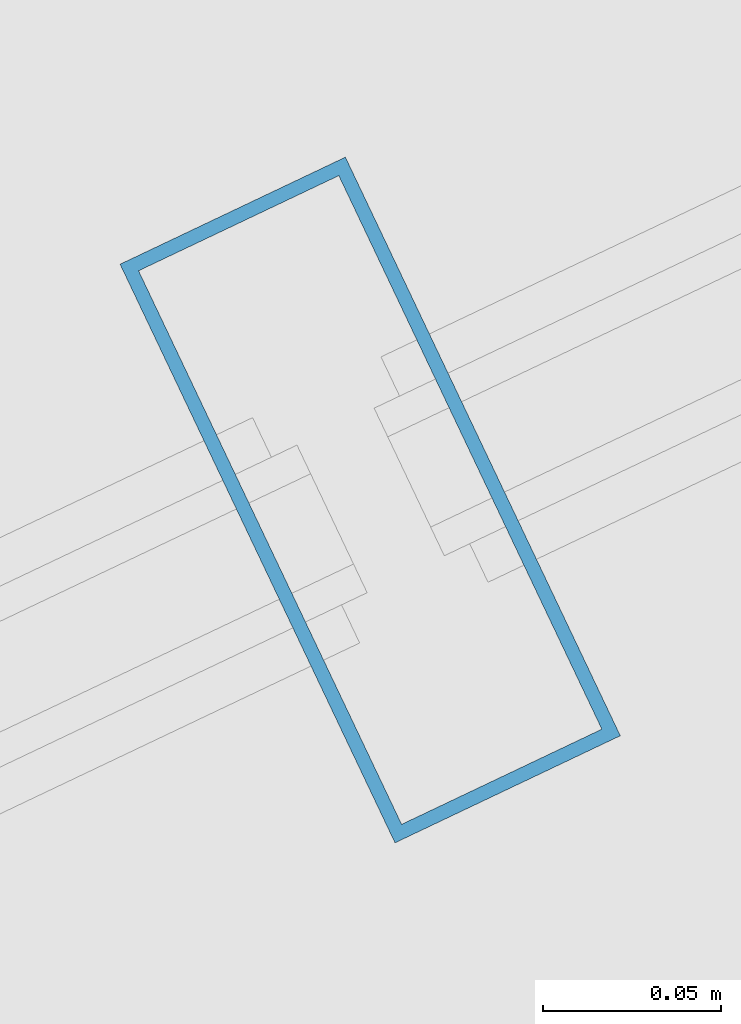
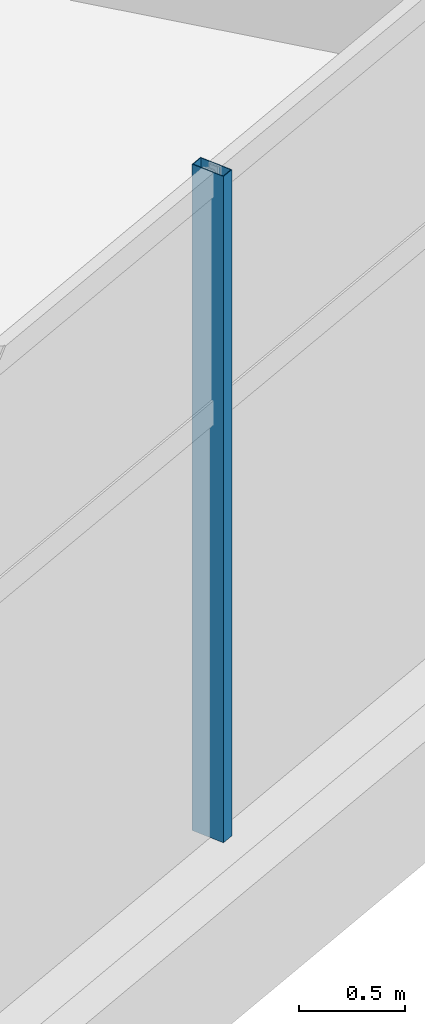
# One storey, part 45 of 156: 1 member, 1 element without a shape of its own.
"""IFC4 building model written with IfcOpenShell, lengths in metres."""

from ifc_helpers import new_model, si_unit, direction, frame, origin, origin_2d, place, context, subcontext, project, spatial, hollow_rectangle, extrude, material, layer, layer_set, material_profile, profile_set, type_object, element, aggregate, save


model = new_model("IFC4")

# Units and contexts
model_context = context("Model", 3, precision=1e-05, world=origin(), true_north=direction((0.0, 1.0)))
body_context = subcontext(model_context, "Body", "Model", "MODEL_VIEW")
ifc_project = project(units=[si_unit("LENGTHUNIT", "METRE"), si_unit("AREAUNIT", "SQUARE_METRE"), si_unit("VOLUMEUNIT", "CUBIC_METRE"), si_unit("PLANEANGLEUNIT", "RADIAN"), si_unit("MASSUNIT", "GRAM", prefix="KILO")], contexts=[model_context])

# Site, building, storey
site_placement = place(None, origin())
site = spatial("IfcSite", under=ifc_project, at=site_placement, CompositionType="ELEMENT")
building_placement = place(site_placement, origin())
building = spatial("IfcBuilding", under=site, at=building_placement, Name="Kazemori Nagisa Stadium", CompositionType="ELEMENT")
storey_placement = place(building_placement, frame((0.0, 0.0, 5.780029296875)))
storey = spatial("IfcBuildingStorey", under=building, at=storey_placement, Name="L01", CompositionType="ELEMENT", Elevation=5.780029296875)

# Curtain wall, member
ifc_material_1 = material(Name="Anodised aluminium 6063-T5", Category="aluminium")
ifc_layer = layer(ifc_material_1, 0.179931640625, Name="Anodised aluminium 6063-T5", Category="aluminium")
ifc_layer_set = layer_set([ifc_layer], Name="Anodised aluminium 6063-T5")
curtain_wall_type = type_object("IfcCurtainWallType", Name="CW_L01R3_105", PredefinedType="USERDEFINED", material=ifc_layer_set)
curtain_wall_placement = place(storey_placement, origin())
curtain_wall = element("IfcCurtainWall", 1, at=curtain_wall_placement, inside=storey, type_object=curtain_wall_type, Name="Unitised curtain wall CW-L01R3-105 L01", ObjectType="UNITISED CURTAIN WALL", PredefinedType="USERDEFINED")
ifc_material_2 = material(Name="Aluminium 6063-T5 anodised", Category="aluminium")
ifc_material_profile = material_profile(ifc_material_2, hollow_rectangle(XDim=0.070068359375, YDim=0.179931640625, WallThickness=0.00390625, at=origin_2d()), Name="ALU-MULL-70x180x4")
ifc_profile_set = profile_set([ifc_material_profile], Name="Aluminium 6063-T5 anodised")
member_type = type_object("IfcMemberType", Name="Mullion_M01", PredefinedType="MULLION", material=ifc_profile_set)
member_placement = place(storey_placement, frame((178.857177734375, 27.738037109375, 0.0), z_axis=(0.0, 0.0, 1.0), x_axis=(0.903215892654, 0.429186499388, 0.0)))
member = element("IfcMember", 2, at=member_placement, type_object=member_type, Name="Curtain wall mullion CW-L01R3-105-M3", PredefinedType="MULLION", context=body_context, shape_type="SweptSolid", body=[
    extrude(hollow_rectangle(XDim=0.070068359375, YDim=0.179931640625, WallThickness=0.00390625, at=origin_2d()), origin(), (0.0, 0.0, 1.0), 3.849853515625),
])
aggregate(curtain_wall, [member])

save(model, "model.ifc")
